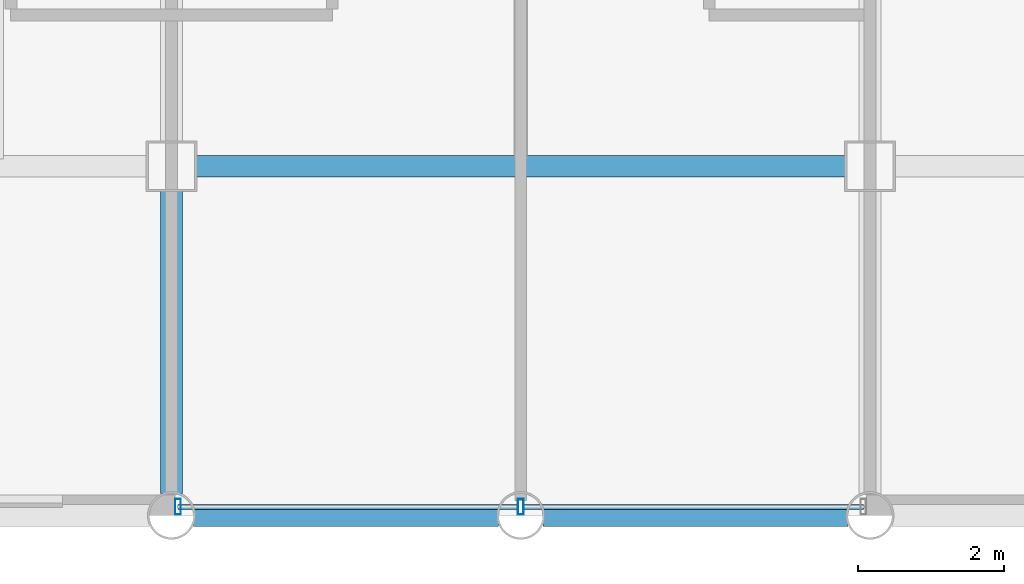
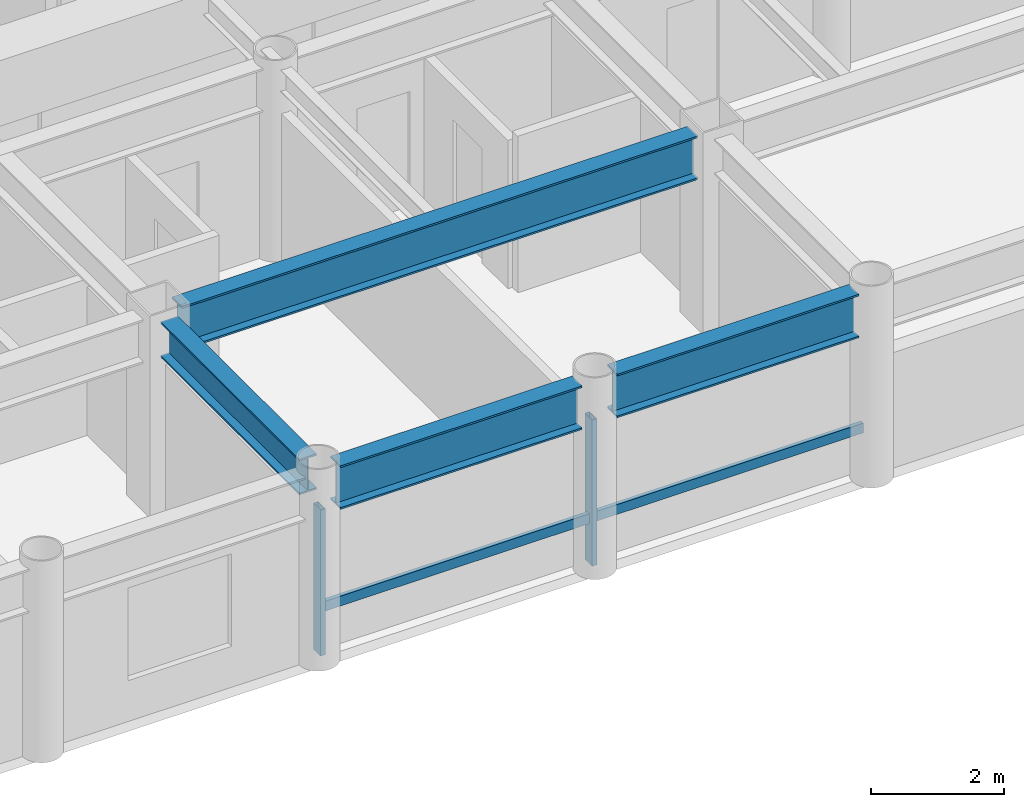
# One storey, part 2 of 22: 4 beams, 4 members, 1 element without a shape of its own.
"""IFC4 building model written with IfcOpenShell, lengths in metres."""

from ifc_helpers import new_model, si_unit, direction, frame, origin, origin_2d, place, context, subcontext, project, spatial, hollow_rectangle, i_section, extrude, material, layer, layer_set, material_profile, profile_set, type_object, element, aggregate, save


model = new_model("IFC4")

# Units and contexts
model_context = context("Model", 3, precision=1e-05, world=origin(), true_north=direction((0.0, 1.0)))
body_context = subcontext(model_context, "Body", "Model", "MODEL_VIEW")
ifc_project = project(units=[si_unit("LENGTHUNIT", "METRE"), si_unit("AREAUNIT", "SQUARE_METRE"), si_unit("VOLUMEUNIT", "CUBIC_METRE"), si_unit("PLANEANGLEUNIT", "RADIAN"), si_unit("MASSUNIT", "GRAM", prefix="KILO")], contexts=[model_context])

# Site, building, storey
site_placement = place(None, origin())
site = spatial("IfcSite", under=ifc_project, at=site_placement, CompositionType="ELEMENT")
building_placement = place(site_placement, origin())
building = spatial("IfcBuilding", under=site, at=building_placement, Name="Kallvorn Hotel Tower", CompositionType="ELEMENT")
storey_placement = place(building_placement, frame((0.0, 0.0, 113.699951171875)))
storey = spatial("IfcBuildingStorey", under=building, at=storey_placement, Name="L27", CompositionType="ELEMENT", Elevation=113.699951171875)

# Beams
ifc_material_1 = material(Name="Structural steel S355JR", Category="steel")
ifc_material_profile_1 = material_profile(ifc_material_1, i_section(OverallWidth=0.300048828125, OverallDepth=0.64990234375, WebThickness=0.01611328125, FlangeThickness=0.031005859375, at=origin_2d()), Name="HE 650 B")
ifc_profile_set_1 = profile_set([ifc_material_profile_1], Name="Structural steel S355JR")
beam_type_1 = type_object("IfcBeamType", Name="BM_HE650B", PredefinedType="BEAM", material=ifc_profile_set_1)
beam_1_placement = place(storey_placement, frame((-4.800048828125, -18.89501953125, 3.195068359375), z_axis=(0.0, 1.0, 0.0), x_axis=(-1.0, 0.0, 0.0)))
element("IfcBeam", 1, at=beam_1_placement, inside=storey, type_object=beam_type_1, Name="L28 Primary Y-Girder 105", PredefinedType="BEAM", context=body_context, shape_type="SweptSolid", body=[
    extrude(i_section(OverallWidth=0.300048828125, OverallDepth=0.64990234375, WebThickness=0.01611328125, FlangeThickness=0.031005859375, at=origin_2d()), origin(), (0.0, 0.0, 1.0), 4.169921875),
])
ifc_material_2 = material(Name="Structural steel S355JR", Category="steel")
ifc_material_profile_2 = material_profile(ifc_material_2, i_section(OverallWidth=0.300048828125, OverallDepth=0.800048828125, WebThickness=0.017578125, FlangeThickness=0.032958984375, at=origin_2d()), Name="HE 800 B")
ifc_profile_set_2 = profile_set([ifc_material_profile_2], Name="Structural steel S355JR")
beam_type_2 = type_object("IfcBeamType", Name="BM_HE800B", PredefinedType="BEAM", material=ifc_profile_set_2)
for number, where, z_axis, x_axis, name in (
    (2, (-4.4951171875, -19.199951171875, 3.1201171875), (1.0, 0.0, 0.0), (0.0, 1.0, 0.0), "L28 Primary X-Girder 06"),
    (3, (0.304931640625, -19.199951171875, 3.1201171875), (1.0, 0.0, 0.0), (0.0, 1.0, 0.0), "L28 Primary X-Girder 07"),
):
    element("IfcBeam", number, at=place(storey_placement, frame(where, z_axis=z_axis, x_axis=x_axis)), inside=storey, type_object=beam_type_2, Name=name, PredefinedType="BEAM", context=body_context, shape_type="SweptSolid", body=[
        extrude(i_section(OverallWidth=0.300048828125, OverallDepth=0.800048828125, WebThickness=0.017578125, FlangeThickness=0.032958984375, at=origin_2d()), origin(), (0.0, 0.0, 1.0), 4.190185546875),
    ])
beam_2_placement = place(storey_placement, frame((-4.47509765625, -14.39990234375, 3.1201171875), z_axis=(1.0, 0.0, 0.0), x_axis=(0.0, 1.0, 0.0)))
element("IfcBeam", 4, at=beam_2_placement, inside=storey, type_object=beam_type_2, Name="L28 Primary X-Girder 17", PredefinedType="BEAM", context=body_context, shape_type="SweptSolid", body=[
    extrude(i_section(OverallWidth=0.300048828125, OverallDepth=0.800048828125, WebThickness=0.017578125, FlangeThickness=0.032958984375, at=origin_2d()), origin(), (0.0, 0.0, 1.0), 8.9501953125),
])

# Curtain wall, members
ifc_material_3 = material(Name="Thermally broken black-anodised aluminium AA 6063-T6", Category="aluminium")
ifc_layer = layer(ifc_material_3, 0.199951171875)
ifc_layer_set = layer_set([ifc_layer], Name="CW_SYS_3_HOTEL_LOW")
curtain_wall_type = type_object("IfcCurtainWallType", Name="CW_SYS_3_HOTEL_LOW", PredefinedType="USERDEFINED", material=ifc_layer_set)
curtain_wall_placement = place(storey_placement, origin())
curtain_wall = element("IfcCurtainWall", 5, at=curtain_wall_placement, inside=storey, type_object=curtain_wall_type, Name="L27 Dark-Glass Curtain Wall CW-L27-SC", ObjectType="UNITISED CURTAIN WALL", PredefinedType="USERDEFINED")
ifc_material_4 = material(Name="Thermally broken black-anodised aluminium AA 6063-T6", Category="aluminium")
ifc_material_profile_3 = material_profile(ifc_material_4, hollow_rectangle(XDim=0.080078125, YDim=0.219970703125, WallThickness=0.0048828125, at=origin_2d()), Name="MUL 220x80")
ifc_profile_set_3 = profile_set([ifc_material_profile_3], Name="Thermally broken black-anodised aluminium AA 6063-T6")
member_type_1 = type_object("IfcMemberType", Name="CW_MULLION_220x80", PredefinedType="MULLION", material=ifc_profile_set_3)
member_1_placement = place(storey_placement, frame((-4.7099609375, -19.080078125, 0.02001953125), z_axis=(0.0, 0.0, 1.0), x_axis=(1.0, 0.0, 0.0)))
member_1 = element("IfcMember", 6, at=member_1_placement, type_object=member_type_1, Name="CW-L27-SC Mullion 00", PredefinedType="MULLION", context=body_context, shape_type="SweptSolid", body=[
    extrude(hollow_rectangle(XDim=0.080078125, YDim=0.219970703125, WallThickness=0.0048828125, at=origin_2d()), origin(), (0.0, 0.0, 1.0), 2.679931640625),
])
member_2_placement = place(storey_placement, frame((0.0, -19.080078125, 0.02001953125), z_axis=(0.0, 0.0, 1.0), x_axis=(1.0, 0.0, 0.0)))
member_2 = element("IfcMember", 7, at=member_2_placement, type_object=member_type_1, Name="CW-L27-SC Mullion 01", PredefinedType="MULLION", context=body_context, shape_type="SweptSolid", body=[
    extrude(hollow_rectangle(XDim=0.080078125, YDim=0.219970703125, WallThickness=0.0048828125, at=origin_2d()), origin(), (0.0, 0.0, 1.0), 2.679931640625),
])
ifc_material_5 = material(Name="Thermally broken black-anodised aluminium AA 6063-T6", Category="aluminium")
ifc_material_profile_4 = material_profile(ifc_material_5, hollow_rectangle(XDim=0.070068359375, YDim=0.179931640625, WallThickness=0.00390625, at=origin_2d()), Name="TRN 180x70")
ifc_profile_set_4 = profile_set([ifc_material_profile_4], Name="Thermally broken black-anodised aluminium AA 6063-T6")
member_type_2 = type_object("IfcMemberType", Name="CW_TRANSOM_180x70", PredefinedType="USERDEFINED", material=ifc_profile_set_4)
member_3_placement = place(storey_placement, frame((-4.7099609375, -19.080078125, 0.85009765625), z_axis=(1.0, 0.0, 0.0), x_axis=(0.0, 1.0, 0.0)))
member_3 = element("IfcMember", 8, at=member_3_placement, type_object=member_type_2, Name="CW-L27-SC Transom 00M", ObjectType="TRANSOM", PredefinedType="USERDEFINED", context=body_context, shape_type="SweptSolid", body=[
    extrude(hollow_rectangle(XDim=0.070068359375, YDim=0.179931640625, WallThickness=0.00390625, at=origin_2d()), origin(), (0.0, 0.0, 1.0), 4.669921875),
])
member_4_placement = place(storey_placement, frame((0.0400390625, -19.080078125, 0.85009765625), z_axis=(1.0, 0.0, 0.0), x_axis=(0.0, 1.0, 0.0)))
member_4 = element("IfcMember", 9, at=member_4_placement, type_object=member_type_2, Name="CW-L27-SC Transom 01M", ObjectType="TRANSOM", PredefinedType="USERDEFINED", context=body_context, shape_type="SweptSolid", body=[
    extrude(hollow_rectangle(XDim=0.070068359375, YDim=0.179931640625, WallThickness=0.00390625, at=origin_2d()), origin(), (0.0, 0.0, 1.0), 4.669921875),
])
aggregate(curtain_wall, [member_1, member_2, member_3, member_4])

save(model, "model.ifc")
